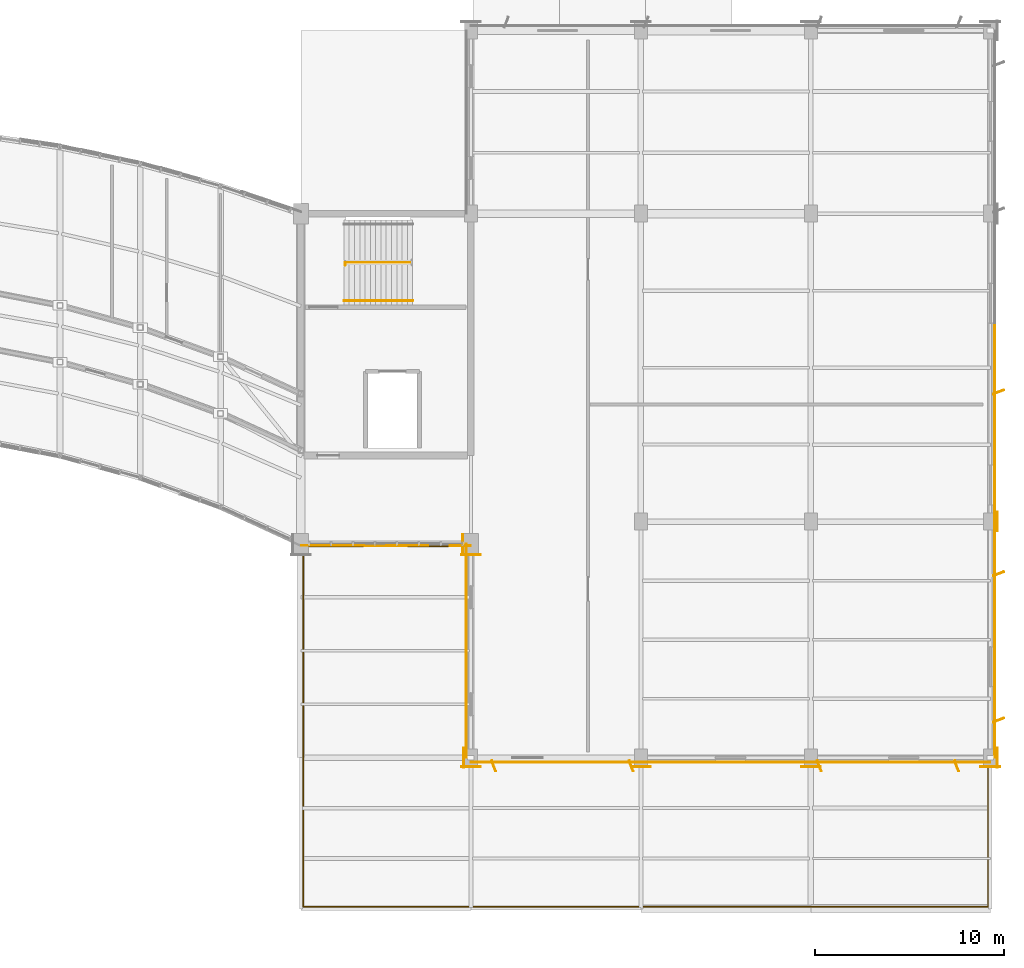
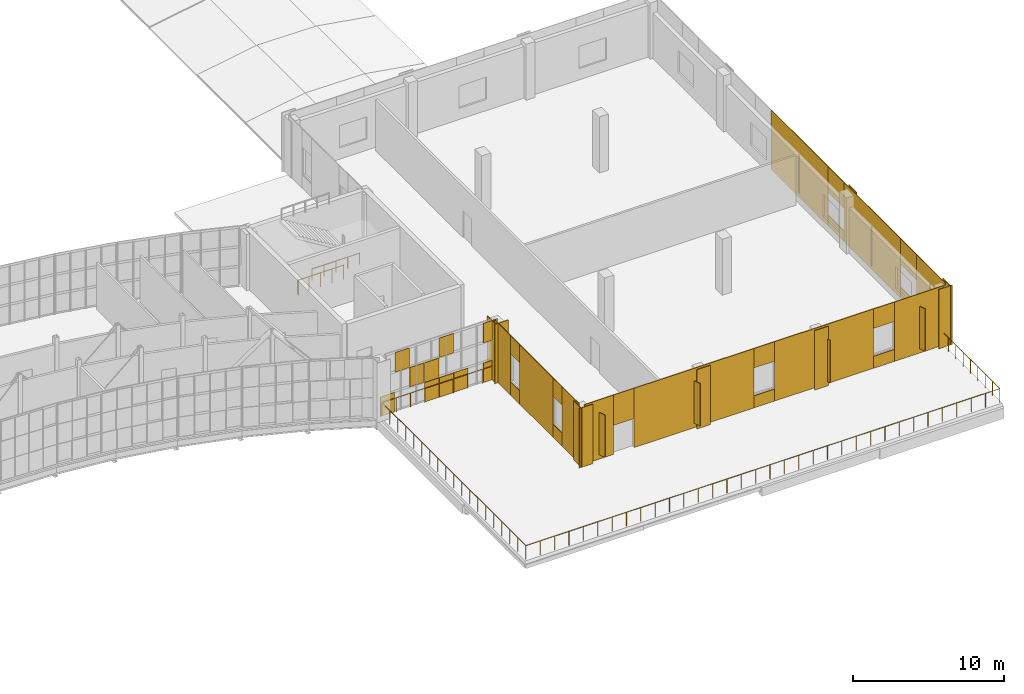
# One storey, part 84 of 86: 49 coverings, 3 railings.
"""IFC4 building model written with IfcOpenShell, lengths in metres."""

from ifc_helpers import new_model, si_unit, direction, frame, origin, origin_2d, place, context, subcontext, project, spatial, rectangle, circle, extrude, material, layer, layer_set, type_object, element, save


model = new_model("IFC4")

# Units and contexts
model_context = context("Model", 3, precision=1e-05, world=origin(), true_north=direction((0.0, 1.0)))
body_context = subcontext(model_context, "Body", "Model", "MODEL_VIEW")
ifc_project = project(units=[si_unit("LENGTHUNIT", "METRE"), si_unit("AREAUNIT", "SQUARE_METRE"), si_unit("VOLUMEUNIT", "CUBIC_METRE"), si_unit("PLANEANGLEUNIT", "RADIAN"), si_unit("MASSUNIT", "GRAM", prefix="KILO")], contexts=[model_context])

# Site, building, storey
site_placement = place(None, origin())
site = spatial("IfcSite", under=ifc_project, at=site_placement, CompositionType="ELEMENT")
building_placement = place(site_placement, origin())
building = spatial("IfcBuilding", under=site, at=building_placement, Name="Solvikara Media Centre", CompositionType="ELEMENT")
storey_placement = place(building_placement, frame((0.0, 0.0, 15.0)))
storey = spatial("IfcBuildingStorey", under=building, at=storey_placement, Name="L03", CompositionType="ELEMENT", Elevation=15.0)

# Coverings
ifc_material_1 = material(Name="GFRC white mineral architectural rainscreen panel")
ifc_layer_1 = layer(ifc_material_1, 0.050048828125)
ifc_layer_set_1 = layer_set([ifc_layer_1], Name="GFRC white mineral architectural rainscreen panel")
covering_type_1 = type_object("IfcCoveringType", Name="CV-04", PredefinedType="CLADDING", material=ifc_layer_set_1)
for number, where, z_axis, x_axis, name in (
    (1, (136.5, 7.52490234375, 0.0), (0.0, 0.0, 1.0), (1.0, 0.0, 0.0), "PIL-L03-201"),
    (2, (136.125, 8.0, 0.0), (0.0, 0.0, 1.0), (0.0, -1.0, 0.0), "PIL-L03-202"),
    (3, (145.5, 7.52490234375, 0.0), (0.0, 0.0, 1.0), (1.0, 0.0, 0.0), "PIL-L03-208"),
    (4, (154.5, 7.52490234375, 0.0), (0.0, 0.0, 1.0), (1.0, 0.0, 0.0), "PIL-L03-214"),
    (5, (164.375, 8.0, 0.0), (0.0, 0.0, 1.0), (0.0, 1.0, 0.0), "PIL-L03-226"),
    (6, (164.0, 7.52490234375, 0.0), (0.0, 0.0, 1.0), (1.0, 0.0, 0.0), "PIL-L03-227"),
    (7, (164.375, 20.5, 0.0), (0.0, 0.0, 1.0), (0.0, 1.0, 0.0), "PIL-L03-231"),
    (8, (136.5, 18.7490234375, 0.0), (0.0, 0.0, 1.0), (1.0, 0.0, 0.0), "PIL-L03-245"),
    (9, (136.074951171875, 19.323974609375, 0.0), (0.0, 0.0, 1.0), (0.0, -1.0, 0.0), "PIL-L03-246"),
):
    element("IfcCovering", number, at=place(storey_placement, frame(where, z_axis=z_axis, x_axis=x_axis)), inside=storey, type_object=covering_type_1, Name=name, PredefinedType="CLADDING", context=body_context, shape_type="SweptSolid", body=[
        extrude(rectangle(XDim=1.0400390625, YDim=0.050048828125, at=origin_2d()), origin(), (0.0, 0.0, 1.0), 4.800048828125),
    ])
for number, where, z_axis, x_axis, name in (
    (10, (131.43798828125, 19.22998046875, 0.01513671875), (0.0, 0.0, 1.0), (1.0, 0.0, 0.0), "CW-L03-BHES-SF-30"),
    (11, (131.43798828125, 19.22998046875, 1.61474609375), (0.0, 0.0, 1.0), (1.0, 0.0, 0.0), "CW-L03-BHES-SF-31"),
    (12, (132.56201171875, 19.22998046875, 0.01513671875), (0.0, 0.0, 1.0), (1.0, 0.0, 0.0), "CW-L03-BHES-SF-40"),
    (13, (135.93798828125, 19.22998046875, 0.01513671875), (0.0, 0.0, 1.0), (1.0, 0.0, 0.0), "CW-L03-BHES-SF-70"),
):
    element("IfcCovering", number, at=place(storey_placement, frame(where, z_axis=z_axis, x_axis=x_axis)), inside=storey, type_object=covering_type_1, Name=name, PredefinedType="CLADDING", context=body_context, shape_type="SweptSolid", body=[
        extrude(rectangle(XDim=1.094970703125, YDim=0.050048828125, at=origin_2d()), origin(), (0.0, 0.0, 1.0), 1.570068359375),
    ])
covering_1_placement = place(storey_placement, frame((137.60009765625, 7.7548828125, 0.0), z_axis=(0.0, 0.0, 1.0), x_axis=(1.0, 0.0, 0.0)))
element("IfcCovering", 14, at=covering_1_placement, inside=storey, type_object=covering_type_1, Name="L03-V5S-CV-F01", PredefinedType="CLADDING", context=body_context, shape_type="SweptSolid", body=[
    extrude(rectangle(XDim=2.199951171875, YDim=0.050048828125, at=origin_2d()), origin(), (0.0, 0.0, 1.0), 4.800048828125),
])
covering_2_placement = place(storey_placement, frame((137.7099609375, 7.56494140625, 0.35009765625), z_axis=(0.0, 0.0, 1.0), x_axis=(0.3656566557, -0.930749810713, 0.0)))
element("IfcCovering", 15, at=covering_2_placement, inside=storey, type_object=covering_type_1, Name="L03-V5S-FIN-01", PredefinedType="CLADDING", context=body_context, shape_type="SweptSolid", body=[
    extrude(rectangle(XDim=0.60205078125, YDim=0.050048828125, at=origin_2d()), origin(), (0.0, 0.0, 1.0), 3.424072265625),
])
covering_3_placement = place(storey_placement, frame((139.5, 7.7548828125, 2.35009765625), z_axis=(0.0, 0.0, 1.0), x_axis=(1.0, 0.0, 0.0)))
element("IfcCovering", 16, at=covering_3_placement, inside=storey, type_object=covering_type_1, Name="L03-V5S-CV-D02", PredefinedType="CLADDING", context=body_context, shape_type="SweptSolid", body=[
    extrude(rectangle(XDim=1.60009765625, YDim=0.050048828125, at=origin_2d()), origin(), (0.0, 0.0, 1.0), 2.449951171875),
])
covering_4_placement = place(storey_placement, frame((144.875, 7.7548828125, 0.0), z_axis=(0.0, 0.0, 1.0), x_axis=(1.0, 0.0, 0.0)))
element("IfcCovering", 17, at=covering_4_placement, inside=storey, type_object=covering_type_1, Name="L03-V5S-CV-F03", PredefinedType="CLADDING", context=body_context, shape_type="SweptSolid", body=[
    extrude(rectangle(XDim=9.14990234375, YDim=0.050048828125, at=origin_2d()), origin(), (0.0, 0.0, 1.0), 4.800048828125),
])
covering_5_placement = place(storey_placement, frame((144.985107421875, 7.56494140625, 0.35009765625), z_axis=(0.0, 0.0, 1.0), x_axis=(0.3656566557, -0.930749810713, 0.0)))
element("IfcCovering", 18, at=covering_5_placement, inside=storey, type_object=covering_type_1, Name="L03-V5S-FIN-03", PredefinedType="CLADDING", context=body_context, shape_type="SweptSolid", body=[
    extrude(rectangle(XDim=0.60205078125, YDim=0.050048828125, at=origin_2d()), origin(), (0.0, 0.0, 1.0), 3.424072265625),
])
covering_6_placement = place(storey_placement, frame((150.25, 7.7548828125, 0.0), z_axis=(0.0, 0.0, 1.0), x_axis=(1.0, 0.0, 0.0)))
element("IfcCovering", 19, at=covering_6_placement, inside=storey, type_object=covering_type_1, Name="L03-V5S-CV-S04", PredefinedType="CLADDING", context=body_context, shape_type="SweptSolid", body=[
    extrude(rectangle(XDim=1.60009765625, YDim=0.050048828125, at=origin_2d()), origin(), (0.0, 0.0, 1.0), 0.969970703125),
])
covering_7_placement = place(storey_placement, frame((150.25, 7.7548828125, 3.22998046875), z_axis=(0.0, 0.0, 1.0), x_axis=(1.0, 0.0, 0.0)))
element("IfcCovering", 20, at=covering_7_placement, inside=storey, type_object=covering_type_1, Name="L03-V5S-CV-H04", PredefinedType="CLADDING", context=body_context, shape_type="SweptSolid", body=[
    extrude(rectangle(XDim=1.60009765625, YDim=0.050048828125, at=origin_2d()), origin(), (0.0, 0.0, 1.0), 1.570068359375),
])
covering_8_placement = place(storey_placement, frame((154.833984375, 7.7548828125, 0.0), z_axis=(0.0, 0.0, 1.0), x_axis=(1.0, 0.0, 0.0)))
element("IfcCovering", 21, at=covering_8_placement, inside=storey, type_object=covering_type_1, Name="L03-V5S-CV-F05", PredefinedType="CLADDING", context=body_context, shape_type="SweptSolid", body=[
    extrude(rectangle(XDim=7.56689453125, YDim=0.050048828125, at=origin_2d()), origin(), (0.0, 0.0, 1.0), 4.800048828125),
])
covering_9_placement = place(storey_placement, frame((154.944091796875, 7.56494140625, 0.35009765625), z_axis=(0.0, 0.0, 1.0), x_axis=(0.3656566557, -0.930749810713, 0.0)))
element("IfcCovering", 22, at=covering_9_placement, inside=storey, type_object=covering_type_1, Name="L03-V5S-FIN-05", PredefinedType="CLADDING", context=body_context, shape_type="SweptSolid", body=[
    extrude(rectangle(XDim=0.60205078125, YDim=0.050048828125, at=origin_2d()), origin(), (0.0, 0.0, 1.0), 3.424072265625),
])
covering_10_placement = place(storey_placement, frame((159.4169921875, 7.7548828125, 0.0), z_axis=(0.0, 0.0, 1.0), x_axis=(1.0, 0.0, 0.0)))
element("IfcCovering", 23, at=covering_10_placement, inside=storey, type_object=covering_type_1, Name="L03-V5S-CV-S06", PredefinedType="CLADDING", context=body_context, shape_type="SweptSolid", body=[
    extrude(rectangle(XDim=1.60009765625, YDim=0.050048828125, at=origin_2d()), origin(), (0.0, 0.0, 1.0), 0.969970703125),
])
covering_11_placement = place(storey_placement, frame((159.4169921875, 7.7548828125, 3.22998046875), z_axis=(0.0, 0.0, 1.0), x_axis=(1.0, 0.0, 0.0)))
element("IfcCovering", 24, at=covering_11_placement, inside=storey, type_object=covering_type_1, Name="L03-V5S-CV-H06", PredefinedType="CLADDING", context=body_context, shape_type="SweptSolid", body=[
    extrude(rectangle(XDim=1.60009765625, YDim=0.050048828125, at=origin_2d()), origin(), (0.0, 0.0, 1.0), 1.570068359375),
])
covering_12_placement = place(storey_placement, frame((162.10791015625, 7.7548828125, 0.0), z_axis=(0.0, 0.0, 1.0), x_axis=(1.0, 0.0, 0.0)))
element("IfcCovering", 25, at=covering_12_placement, inside=storey, type_object=covering_type_1, Name="L03-V5S-CV-F07", PredefinedType="CLADDING", context=body_context, shape_type="SweptSolid", body=[
    extrude(rectangle(XDim=3.782958984375, YDim=0.050048828125, at=origin_2d()), origin(), (0.0, 0.0, 1.0), 4.800048828125),
])
covering_13_placement = place(storey_placement, frame((162.218017578125, 7.56494140625, 0.35009765625), z_axis=(0.0, 0.0, 1.0), x_axis=(0.3656566557, -0.930749810713, 0.0)))
element("IfcCovering", 26, at=covering_13_placement, inside=storey, type_object=covering_type_1, Name="L03-V5S-FIN-07", PredefinedType="CLADDING", context=body_context, shape_type="SweptSolid", body=[
    extrude(rectangle(XDim=0.60205078125, YDim=0.050048828125, at=origin_2d()), origin(), (0.0, 0.0, 1.0), 3.424072265625),
])
covering_14_placement = place(storey_placement, frame((136.2548828125, 9.115966796875, 0.0), z_axis=(0.0, 0.0, 1.0), x_axis=(0.0, 1.0, 0.0)))
element("IfcCovering", 27, at=covering_14_placement, inside=storey, type_object=covering_type_1, Name="L03-V5W-CV-F01", PredefinedType="CLADDING", context=body_context, shape_type="SweptSolid", body=[
    extrude(rectangle(XDim=2.23095703125, YDim=0.050048828125, at=origin_2d()), origin(), (0.0, 0.0, 1.0), 4.800048828125),
])
covering_15_placement = place(storey_placement, frame((136.2548828125, 10.8310546875, 0.0), z_axis=(0.0, 0.0, 1.0), x_axis=(0.0, 1.0, 0.0)))
element("IfcCovering", 28, at=covering_15_placement, inside=storey, type_object=covering_type_1, Name="L03-V5W-CV-S02", PredefinedType="CLADDING", context=body_context, shape_type="SweptSolid", body=[
    extrude(rectangle(XDim=1.199951171875, YDim=0.050048828125, at=origin_2d()), origin(), (0.0, 0.0, 1.0), 1.070068359375),
])
covering_16_placement = place(storey_placement, frame((136.2548828125, 10.8310546875, 3.330078125), z_axis=(0.0, 0.0, 1.0), x_axis=(0.0, 1.0, 0.0)))
element("IfcCovering", 29, at=covering_16_placement, inside=storey, type_object=covering_type_1, Name="L03-V5W-CV-H02", PredefinedType="CLADDING", context=body_context, shape_type="SweptSolid", body=[
    extrude(rectangle(XDim=1.199951171875, YDim=0.050048828125, at=origin_2d()), origin(), (0.0, 0.0, 1.0), 1.469970703125),
])
covering_17_placement = place(storey_placement, frame((136.2548828125, 13.662109375, 0.0), z_axis=(0.0, 0.0, 1.0), x_axis=(0.0, 1.0, 0.0)))
element("IfcCovering", 30, at=covering_17_placement, inside=storey, type_object=covering_type_1, Name="L03-V5W-CV-F03", PredefinedType="CLADDING", context=body_context, shape_type="SweptSolid", body=[
    extrude(rectangle(XDim=4.4619140625, YDim=0.050048828125, at=origin_2d()), origin(), (0.0, 0.0, 1.0), 4.800048828125),
])
covering_18_placement = place(storey_placement, frame((136.2548828125, 16.492919921875, 0.0), z_axis=(0.0, 0.0, 1.0), x_axis=(0.0, 1.0, 0.0)))
element("IfcCovering", 31, at=covering_18_placement, inside=storey, type_object=covering_type_1, Name="L03-V5W-CV-S04", PredefinedType="CLADDING", context=body_context, shape_type="SweptSolid", body=[
    extrude(rectangle(XDim=1.199951171875, YDim=0.050048828125, at=origin_2d()), origin(), (0.0, 0.0, 1.0), 1.070068359375),
])
covering_19_placement = place(storey_placement, frame((136.2548828125, 16.492919921875, 3.330078125), z_axis=(0.0, 0.0, 1.0), x_axis=(0.0, 1.0, 0.0)))
element("IfcCovering", 32, at=covering_19_placement, inside=storey, type_object=covering_type_1, Name="L03-V5W-CV-H04", PredefinedType="CLADDING", context=body_context, shape_type="SweptSolid", body=[
    extrude(rectangle(XDim=1.199951171875, YDim=0.050048828125, at=origin_2d()), origin(), (0.0, 0.0, 1.0), 1.469970703125),
])
covering_20_placement = place(storey_placement, frame((136.2548828125, 18.208984375, 0.0), z_axis=(0.0, 0.0, 1.0), x_axis=(0.0, 1.0, 0.0)))
element("IfcCovering", 33, at=covering_20_placement, inside=storey, type_object=covering_type_1, Name="L03-V5W-CV-F05", PredefinedType="CLADDING", context=body_context, shape_type="SweptSolid", body=[
    extrude(rectangle(XDim=2.23095703125, YDim=0.050048828125, at=origin_2d()), origin(), (0.0, 0.0, 1.0), 4.800048828125),
])
covering_21_placement = place(storey_placement, frame((164.2451171875, 9.881103515625, 0.0), z_axis=(0.0, 0.0, 1.0), x_axis=(0.0, 1.0, 0.0)))
element("IfcCovering", 34, at=covering_21_placement, inside=storey, type_object=covering_type_1, Name="L03-V5E-CV-F01", PredefinedType="CLADDING", context=body_context, shape_type="SweptSolid", body=[
    extrude(rectangle(XDim=3.762939453125, YDim=0.050048828125, at=origin_2d()), origin(), (0.0, 0.0, 1.0), 4.800048828125),
])
covering_22_placement = place(storey_placement, frame((164.43505859375, 9.990966796875, 0.35009765625), z_axis=(0.0, 0.0, 1.0), x_axis=(0.930749810713, 0.3656566557, 0.0)))
element("IfcCovering", 35, at=covering_22_placement, inside=storey, type_object=covering_type_1, Name="L03-V5E-FIN-01", PredefinedType="CLADDING", context=body_context, shape_type="SweptSolid", body=[
    extrude(rectangle(XDim=0.60205078125, YDim=0.050048828125, at=origin_2d()), origin(), (0.0, 0.0, 1.0), 3.169921875),
])
covering_23_placement = place(storey_placement, frame((164.2451171875, 12.81298828125, 0.0), z_axis=(0.0, 0.0, 1.0), x_axis=(0.0, 1.0, 0.0)))
element("IfcCovering", 36, at=covering_23_placement, inside=storey, type_object=covering_type_1, Name="L03-V5E-CV-S02", PredefinedType="CLADDING", context=body_context, shape_type="SweptSolid", body=[
    extrude(rectangle(XDim=2.10009765625, YDim=0.050048828125, at=origin_2d()), origin(), (0.0, 0.0, 1.0), 0.8701171875),
])
covering_24_placement = place(storey_placement, frame((164.2451171875, 12.81298828125, 2.72998046875), z_axis=(0.0, 0.0, 1.0), x_axis=(0.0, 1.0, 0.0)))
element("IfcCovering", 37, at=covering_24_placement, inside=storey, type_object=covering_type_1, Name="L03-V5E-CV-H02", PredefinedType="CLADDING", context=body_context, shape_type="SweptSolid", body=[
    extrude(rectangle(XDim=2.10009765625, YDim=0.050048828125, at=origin_2d()), origin(), (0.0, 0.0, 1.0), 2.070068359375),
])
covering_25_placement = place(storey_placement, frame((164.2451171875, 17.625, 0.0), z_axis=(0.0, 0.0, 1.0), x_axis=(0.0, 1.0, 0.0)))
element("IfcCovering", 38, at=covering_25_placement, inside=storey, type_object=covering_type_1, Name="L03-V5E-CV-F03", PredefinedType="CLADDING", context=body_context, shape_type="SweptSolid", body=[
    extrude(rectangle(XDim=7.52392578125, YDim=0.050048828125, at=origin_2d()), origin(), (0.0, 0.0, 1.0), 4.800048828125),
])
covering_26_placement = place(storey_placement, frame((164.43505859375, 17.735107421875, 0.35009765625), z_axis=(0.0, 0.0, 1.0), x_axis=(0.930749810713, 0.3656566557, 0.0)))
element("IfcCovering", 39, at=covering_26_placement, inside=storey, type_object=covering_type_1, Name="L03-V5E-FIN-03", PredefinedType="CLADDING", context=body_context, shape_type="SweptSolid", body=[
    extrude(rectangle(XDim=0.60205078125, YDim=0.050048828125, at=origin_2d()), origin(), (0.0, 0.0, 1.0), 3.169921875),
])
covering_27_placement = place(storey_placement, frame((164.2451171875, 22.43701171875, 0.0), z_axis=(0.0, 0.0, 1.0), x_axis=(0.0, 1.0, 0.0)))
element("IfcCovering", 40, at=covering_27_placement, inside=storey, type_object=covering_type_1, Name="L03-V5E-CV-S04", PredefinedType="CLADDING", context=body_context, shape_type="SweptSolid", body=[
    extrude(rectangle(XDim=2.10009765625, YDim=0.050048828125, at=origin_2d()), origin(), (0.0, 0.0, 1.0), 0.8701171875),
])
covering_28_placement = place(storey_placement, frame((164.2451171875, 22.43701171875, 2.72998046875), z_axis=(0.0, 0.0, 1.0), x_axis=(0.0, 1.0, 0.0)))
element("IfcCovering", 41, at=covering_28_placement, inside=storey, type_object=covering_type_1, Name="L03-V5E-CV-H04", PredefinedType="CLADDING", context=body_context, shape_type="SweptSolid", body=[
    extrude(rectangle(XDim=2.10009765625, YDim=0.050048828125, at=origin_2d()), origin(), (0.0, 0.0, 1.0), 2.070068359375),
])
covering_29_placement = place(storey_placement, frame((164.2451171875, 27.2490234375, 0.0), z_axis=(0.0, 0.0, 1.0), x_axis=(0.0, 1.0, 0.0)))
element("IfcCovering", 42, at=covering_29_placement, inside=storey, type_object=covering_type_1, Name="L03-V5E-CV-F05", PredefinedType="CLADDING", context=body_context, shape_type="SweptSolid", body=[
    extrude(rectangle(XDim=7.52490234375, YDim=0.050048828125, at=origin_2d()), origin(), (0.0, 0.0, 1.0), 4.800048828125),
])
covering_30_placement = place(storey_placement, frame((164.43505859375, 27.360107421875, 0.35009765625), z_axis=(0.0, 0.0, 1.0), x_axis=(0.930749810713, 0.3656566557, 0.0)))
element("IfcCovering", 43, at=covering_30_placement, inside=storey, type_object=covering_type_1, Name="L03-V5E-FIN-05", PredefinedType="CLADDING", context=body_context, shape_type="SweptSolid", body=[
    extrude(rectangle(XDim=0.60205078125, YDim=0.050048828125, at=origin_2d()), origin(), (0.0, 0.0, 1.0), 3.169921875),
])
ifc_material_2 = material(Name="Insulated silver-pearl glass spandrel panel", Category="glass")
ifc_layer_2 = layer(ifc_material_2, 0.034912109375)
ifc_layer_set_2 = layer_set([ifc_layer_2], Name="Insulated silver-pearl glass spandrel panel")
covering_type_2 = type_object("IfcCoveringType", Name="CV-06", PredefinedType="CLADDING", material=ifc_layer_set_2)
for number, where, z_axis, x_axis, name in (
    (44, (128.06201171875, 19.239990234375, 0.01513671875), (0.0, 0.0, 1.0), (1.0, 0.0, 0.0), "CW-L03-BHES-PX-00"),
    (45, (129.18798828125, 19.239990234375, 3.21484375), (0.0, 0.0, 1.0), (1.0, 0.0, 0.0), "CW-L03-BHES-PX-12"),
    (46, (130.31201171875, 19.239990234375, 1.61474609375), (0.0, 0.0, 1.0), (1.0, 0.0, 0.0), "CW-L03-BHES-PX-21"),
    (47, (132.56201171875, 19.239990234375, 3.21484375), (0.0, 0.0, 1.0), (1.0, 0.0, 0.0), "CW-L03-BHES-PX-42"),
    (48, (133.68798828125, 19.239990234375, 0.01513671875), (0.0, 0.0, 1.0), (1.0, 0.0, 0.0), "CW-L03-BHES-PX-50"),
    (49, (135.93798828125, 19.239990234375, 3.21484375), (0.0, 0.0, 1.0), (1.0, 0.0, 0.0), "CW-L03-BHES-PX-72"),
):
    element("IfcCovering", number, at=place(storey_placement, frame(where, z_axis=z_axis, x_axis=x_axis)), inside=storey, type_object=covering_type_2, Name=name, PredefinedType="CLADDING", context=body_context, shape_type="SweptSolid", body=[
        extrude(rectangle(XDim=1.094970703125, YDim=0.034912109375, at=origin_2d()), origin(), (0.0, 0.0, 1.0), 1.570068359375),
    ])

# Railings
ifc_material_3 = material(Name="Steel S355JR", Category="steel")
railing_type_1 = type_object("IfcRailingType", Name="GR-01", PredefinedType="GUARDRAIL", material=ifc_material_3)
railing_1_placement = place(storey_placement, frame((136.3798828125, 19.199951171875, 0.0)))
element("IfcRailing", 50, at=railing_1_placement, inside=storey, type_object=railing_type_1, Name="GR-TER-L03S", PredefinedType="GUARDRAIL", context=body_context, shape_type="SweptSolid", body=[
    extrude(circle(Radius=0.02392578125, at=origin_2d()), frame((0.0, 0.0, 1.1259765625), z_axis=(-1.0, 0.0, 0.0), x_axis=(0.0, -1.0, 0.0)), (0.0, 0.0, 1.0), 8.759765625),
    extrude(circle(Radius=0.02392578125, at=origin_2d()), frame((-8.759765625, 0.0, 1.1259765625), z_axis=(0.0, -1.0, 0.0), x_axis=(1.0, 0.0, 0.0)), (0.0, 0.0, 1.0), 19.079833984375),
    extrude(circle(Radius=0.02392578125, at=origin_2d()), frame((-8.759765625, -19.079833984375, 1.1259765625), z_axis=(1.0, 0.0, 0.0), x_axis=(0.0, 1.0, 0.0)), (0.0, 0.0, 1.0), 36.259765625),
    extrude(circle(Radius=0.02392578125, at=origin_2d()), frame((27.5, -19.079833984375, 1.1259765625), z_axis=(0.0, 1.0, 0.0), x_axis=(-1.0, 0.0, 0.0)), (0.0, 0.0, 1.0), 7.77978515625),
    extrude(circle(Radius=0.02099609375, at=origin_2d()), origin(), (0.0, 0.0, 1.0), 1.101806640625),
    extrude(circle(Radius=0.02099609375, at=origin_2d()), frame((-1.094970703125, 0.0, 0.0)), (0.0, 0.0, 1.0), 1.101806640625),
    extrude(circle(Radius=0.02099609375, at=origin_2d()), frame((-2.18994140625, 0.0, 0.0)), (0.0, 0.0, 1.0), 1.101806640625),
    extrude(circle(Radius=0.02099609375, at=origin_2d()), frame((-3.284912109375, 0.0, 0.0)), (0.0, 0.0, 1.0), 1.101806640625),
    extrude(circle(Radius=0.02099609375, at=origin_2d()), frame((-4.3798828125, 0.0, 0.0)), (0.0, 0.0, 1.0), 1.101806640625),
    extrude(circle(Radius=0.02099609375, at=origin_2d()), frame((-5.474853515625, 0.0, 0.0)), (0.0, 0.0, 1.0), 1.101806640625),
    extrude(circle(Radius=0.02099609375, at=origin_2d()), frame((-6.56982421875, 0.0, 0.0)), (0.0, 0.0, 1.0), 1.101806640625),
    extrude(circle(Radius=0.02099609375, at=origin_2d()), frame((-7.664794921875, 0.0, 0.0)), (0.0, 0.0, 1.0), 1.101806640625),
    extrude(circle(Radius=0.02099609375, at=origin_2d()), frame((-8.759765625, 0.0, 0.0)), (0.0, 0.0, 1.0), 1.101806640625),
    extrude(circle(Radius=0.02099609375, at=origin_2d()), frame((-8.759765625, -1.06005859375, 0.0)), (0.0, 0.0, 1.0), 1.101806640625),
    extrude(circle(Radius=0.02099609375, at=origin_2d()), frame((-8.759765625, -2.119873046875, 0.0)), (0.0, 0.0, 1.0), 1.101806640625),
    extrude(circle(Radius=0.02099609375, at=origin_2d()), frame((-8.759765625, -3.179931640625, 0.0)), (0.0, 0.0, 1.0), 1.101806640625),
    extrude(circle(Radius=0.02099609375, at=origin_2d()), frame((-8.759765625, -4.239990234375, 0.0)), (0.0, 0.0, 1.0), 1.101806640625),
    extrude(circle(Radius=0.02099609375, at=origin_2d()), frame((-8.759765625, -5.300048828125, 0.0)), (0.0, 0.0, 1.0), 1.101806640625),
    extrude(circle(Radius=0.02099609375, at=origin_2d()), frame((-8.759765625, -6.35986328125, 0.0)), (0.0, 0.0, 1.0), 1.101806640625),
    extrude(circle(Radius=0.02099609375, at=origin_2d()), frame((-8.759765625, -7.419921875, 0.0)), (0.0, 0.0, 1.0), 1.101806640625),
    extrude(circle(Radius=0.02099609375, at=origin_2d()), frame((-8.759765625, -8.47998046875, 0.0)), (0.0, 0.0, 1.0), 1.101806640625),
    extrude(circle(Radius=0.02099609375, at=origin_2d()), frame((-8.759765625, -9.5400390625, 0.0)), (0.0, 0.0, 1.0), 1.101806640625),
    extrude(circle(Radius=0.02099609375, at=origin_2d()), frame((-8.759765625, -10.599853515625, 0.0)), (0.0, 0.0, 1.0), 1.101806640625),
    extrude(circle(Radius=0.02099609375, at=origin_2d()), frame((-8.759765625, -11.659912109375, 0.0)), (0.0, 0.0, 1.0), 1.101806640625),
    extrude(circle(Radius=0.02099609375, at=origin_2d()), frame((-8.759765625, -12.719970703125, 0.0)), (0.0, 0.0, 1.0), 1.101806640625),
    extrude(circle(Radius=0.02099609375, at=origin_2d()), frame((-8.759765625, -13.77978515625, 0.0)), (0.0, 0.0, 1.0), 1.101806640625),
    extrude(circle(Radius=0.02099609375, at=origin_2d()), frame((-8.759765625, -14.83984375, 0.0)), (0.0, 0.0, 1.0), 1.101806640625),
    extrude(circle(Radius=0.02099609375, at=origin_2d()), frame((-8.759765625, -15.89990234375, 0.0)), (0.0, 0.0, 1.0), 1.101806640625),
    extrude(circle(Radius=0.02099609375, at=origin_2d()), frame((-8.759765625, -16.9599609375, 0.0)), (0.0, 0.0, 1.0), 1.101806640625),
    extrude(circle(Radius=0.02099609375, at=origin_2d()), frame((-8.759765625, -18.019775390625, 0.0)), (0.0, 0.0, 1.0), 1.101806640625),
    extrude(circle(Radius=0.02099609375, at=origin_2d()), frame((-8.759765625, -19.079833984375, 0.0)), (0.0, 0.0, 1.0), 1.101806640625),
    extrude(circle(Radius=0.02099609375, at=origin_2d()), frame((-7.660888671875, -19.079833984375, 0.0)), (0.0, 0.0, 1.0), 1.101806640625),
    extrude(circle(Radius=0.02099609375, at=origin_2d()), frame((-6.562255859375, -19.079833984375, 0.0)), (0.0, 0.0, 1.0), 1.101806640625),
    extrude(circle(Radius=0.02099609375, at=origin_2d()), frame((-5.46337890625, -19.079833984375, 0.0)), (0.0, 0.0, 1.0), 1.101806640625),
    extrude(circle(Radius=0.02099609375, at=origin_2d()), frame((-4.36474609375, -19.079833984375, 0.0)), (0.0, 0.0, 1.0), 1.101806640625),
    extrude(circle(Radius=0.02099609375, at=origin_2d()), frame((-3.265869140625, -19.079833984375, 0.0)), (0.0, 0.0, 1.0), 1.101806640625),
    extrude(circle(Radius=0.02099609375, at=origin_2d()), frame((-2.1669921875, -19.079833984375, 0.0)), (0.0, 0.0, 1.0), 1.101806640625),
    extrude(circle(Radius=0.02099609375, at=origin_2d()), frame((-1.068359375, -19.079833984375, 0.0)), (0.0, 0.0, 1.0), 1.101806640625),
    extrude(circle(Radius=0.02099609375, at=origin_2d()), frame((0.030517578125, -19.079833984375, 0.0)), (0.0, 0.0, 1.0), 1.101806640625),
    extrude(circle(Radius=0.02099609375, at=origin_2d()), frame((1.129150390625, -19.079833984375, 0.0)), (0.0, 0.0, 1.0), 1.101806640625),
    extrude(circle(Radius=0.02099609375, at=origin_2d()), frame((2.22802734375, -19.079833984375, 0.0)), (0.0, 0.0, 1.0), 1.101806640625),
    extrude(circle(Radius=0.02099609375, at=origin_2d()), frame((3.326904296875, -19.079833984375, 0.0)), (0.0, 0.0, 1.0), 1.101806640625),
    extrude(circle(Radius=0.02099609375, at=origin_2d()), frame((4.425537109375, -19.079833984375, 0.0)), (0.0, 0.0, 1.0), 1.101806640625),
    extrude(circle(Radius=0.02099609375, at=origin_2d()), frame((5.5244140625, -19.079833984375, 0.0)), (0.0, 0.0, 1.0), 1.101806640625),
    extrude(circle(Radius=0.02099609375, at=origin_2d()), frame((6.623046875, -19.079833984375, 0.0)), (0.0, 0.0, 1.0), 1.101806640625),
    extrude(circle(Radius=0.02099609375, at=origin_2d()), frame((7.721923828125, -19.079833984375, 0.0)), (0.0, 0.0, 1.0), 1.101806640625),
    extrude(circle(Radius=0.02099609375, at=origin_2d()), frame((8.82080078125, -19.079833984375, 0.0)), (0.0, 0.0, 1.0), 1.101806640625),
    extrude(circle(Radius=0.02099609375, at=origin_2d()), frame((9.91943359375, -19.079833984375, 0.0)), (0.0, 0.0, 1.0), 1.101806640625),
    extrude(circle(Radius=0.02099609375, at=origin_2d()), frame((11.018310546875, -19.079833984375, 0.0)), (0.0, 0.0, 1.0), 1.101806640625),
    extrude(circle(Radius=0.02099609375, at=origin_2d()), frame((12.1171875, -19.079833984375, 0.0)), (0.0, 0.0, 1.0), 1.101806640625),
    extrude(circle(Radius=0.02099609375, at=origin_2d()), frame((13.2158203125, -19.079833984375, 0.0)), (0.0, 0.0, 1.0), 1.101806640625),
    extrude(circle(Radius=0.02099609375, at=origin_2d()), frame((14.314697265625, -19.079833984375, 0.0)), (0.0, 0.0, 1.0), 1.101806640625),
    extrude(circle(Radius=0.02099609375, at=origin_2d()), frame((15.413330078125, -19.079833984375, 0.0)), (0.0, 0.0, 1.0), 1.101806640625),
    extrude(circle(Radius=0.02099609375, at=origin_2d()), frame((16.51220703125, -19.079833984375, 0.0)), (0.0, 0.0, 1.0), 1.101806640625),
    extrude(circle(Radius=0.02099609375, at=origin_2d()), frame((17.611083984375, -19.079833984375, 0.0)), (0.0, 0.0, 1.0), 1.101806640625),
    extrude(circle(Radius=0.02099609375, at=origin_2d()), frame((18.709716796875, -19.079833984375, 0.0)), (0.0, 0.0, 1.0), 1.101806640625),
    extrude(circle(Radius=0.02099609375, at=origin_2d()), frame((19.80859375, -19.079833984375, 0.0)), (0.0, 0.0, 1.0), 1.101806640625),
    extrude(circle(Radius=0.02099609375, at=origin_2d()), frame((20.9072265625, -19.079833984375, 0.0)), (0.0, 0.0, 1.0), 1.101806640625),
    extrude(circle(Radius=0.02099609375, at=origin_2d()), frame((22.006103515625, -19.079833984375, 0.0)), (0.0, 0.0, 1.0), 1.101806640625),
    extrude(circle(Radius=0.02099609375, at=origin_2d()), frame((23.10498046875, -19.079833984375, 0.0)), (0.0, 0.0, 1.0), 1.101806640625),
    extrude(circle(Radius=0.02099609375, at=origin_2d()), frame((24.20361328125, -19.079833984375, 0.0)), (0.0, 0.0, 1.0), 1.101806640625),
    extrude(circle(Radius=0.02099609375, at=origin_2d()), frame((25.302490234375, -19.079833984375, 0.0)), (0.0, 0.0, 1.0), 1.101806640625),
    extrude(circle(Radius=0.02099609375, at=origin_2d()), frame((26.401123046875, -19.079833984375, 0.0)), (0.0, 0.0, 1.0), 1.101806640625),
    extrude(circle(Radius=0.02099609375, at=origin_2d()), frame((27.5, -19.079833984375, 0.0)), (0.0, 0.0, 1.0), 1.101806640625),
    extrude(circle(Radius=0.02099609375, at=origin_2d()), frame((27.5, -18.107421875, 0.0)), (0.0, 0.0, 1.0), 1.101806640625),
    extrude(circle(Radius=0.02099609375, at=origin_2d()), frame((27.5, -17.134765625, 0.0)), (0.0, 0.0, 1.0), 1.101806640625),
    extrude(circle(Radius=0.02099609375, at=origin_2d()), frame((27.5, -16.162353515625, 0.0)), (0.0, 0.0, 1.0), 1.101806640625),
    extrude(circle(Radius=0.02099609375, at=origin_2d()), frame((27.5, -15.18994140625, 0.0)), (0.0, 0.0, 1.0), 1.101806640625),
    extrude(circle(Radius=0.02099609375, at=origin_2d()), frame((27.5, -14.217529296875, 0.0)), (0.0, 0.0, 1.0), 1.101806640625),
    extrude(circle(Radius=0.02099609375, at=origin_2d()), frame((27.5, -13.2451171875, 0.0)), (0.0, 0.0, 1.0), 1.101806640625),
    extrude(circle(Radius=0.02099609375, at=origin_2d()), frame((27.5, -12.2724609375, 0.0)), (0.0, 0.0, 1.0), 1.101806640625),
    extrude(circle(Radius=0.02099609375, at=origin_2d()), frame((27.5, -11.300048828125, 0.0)), (0.0, 0.0, 1.0), 1.101806640625),
])
railing_2_placement = place(storey_placement, frame((129.840087890625, 34.080078125, 0.0)))
element("IfcRailing", 51, at=railing_2_placement, inside=storey, type_object=railing_type_1, Name="GR-C4-L02-W", PredefinedType="GUARDRAIL", context=body_context, shape_type="SweptSolid", body=[
    extrude(circle(Radius=0.02392578125, at=origin_2d()), frame((0.0, 0.0, 1.1259765625), z_axis=(0.0, 1.0, 0.0), x_axis=(-1.0, 0.0, 0.0)), (0.0, 0.0, 1.0), 0.139892578125),
    extrude(circle(Radius=0.02392578125, at=origin_2d()), frame((0.0, 0.139892578125, 1.1259765625), z_axis=(1.0, 0.0, 0.0), x_axis=(0.0, 1.0, 0.0)), (0.0, 0.0, 1.0), 3.52001953125),
    extrude(circle(Radius=0.02099609375, at=origin_2d()), origin(), (0.0, 0.0, 1.0), 1.101806640625),
    extrude(circle(Radius=0.02099609375, at=origin_2d()), frame((0.0, 0.139892578125, 0.0)), (0.0, 0.0, 1.0), 1.101806640625),
    extrude(circle(Radius=0.02099609375, at=origin_2d()), frame((0.8798828125, 0.139892578125, 0.0)), (0.0, 0.0, 1.0), 1.101806640625),
    extrude(circle(Radius=0.02099609375, at=origin_2d()), frame((1.760009765625, 0.139892578125, 0.0)), (0.0, 0.0, 1.0), 1.101806640625),
    extrude(circle(Radius=0.02099609375, at=origin_2d()), frame((2.64013671875, 0.139892578125, 0.0)), (0.0, 0.0, 1.0), 1.101806640625),
    extrude(circle(Radius=0.02099609375, at=origin_2d()), frame((3.52001953125, 0.139892578125, 0.0)), (0.0, 0.0, 1.0), 1.101806640625),
])
railing_type_2 = type_object("IfcRailingType", Name="HR-01", PredefinedType="HANDRAIL", material=ifc_material_3)
railing_3_placement = place(storey_placement, frame((129.780029296875, 32.199951171875, 2.39990234375)))
element("IfcRailing", 52, at=railing_3_placement, inside=storey, type_object=railing_type_2, Name="HR-C4-L03-1", PredefinedType="HANDRAIL", context=body_context, shape_type="SweptSolid", body=[
    extrude(circle(Radius=0.02392578125, at=origin_2d()), frame((0.0, 0.0, 0.89599609375), z_axis=(1.0, 0.0, 0.0), x_axis=(0.0, 1.0, 0.0)), (0.0, 0.0, 1.0), 3.639892578125),
    extrude(circle(Radius=0.02099609375, at=origin_2d()), origin(), (0.0, 0.0, 1.0), 0.871826171875),
    extrude(circle(Radius=0.02099609375, at=origin_2d()), frame((0.909912109375, 0.0, 0.0)), (0.0, 0.0, 1.0), 0.871826171875),
    extrude(circle(Radius=0.02099609375, at=origin_2d()), frame((1.81982421875, 0.0, 0.0)), (0.0, 0.0, 1.0), 0.871826171875),
    extrude(circle(Radius=0.02099609375, at=origin_2d()), frame((2.72998046875, 0.0, 0.0)), (0.0, 0.0, 1.0), 0.871826171875),
    extrude(circle(Radius=0.02099609375, at=origin_2d()), frame((3.639892578125, 0.0, 0.0)), (0.0, 0.0, 1.0), 0.871826171875),
])

save(model, "model.ifc")
